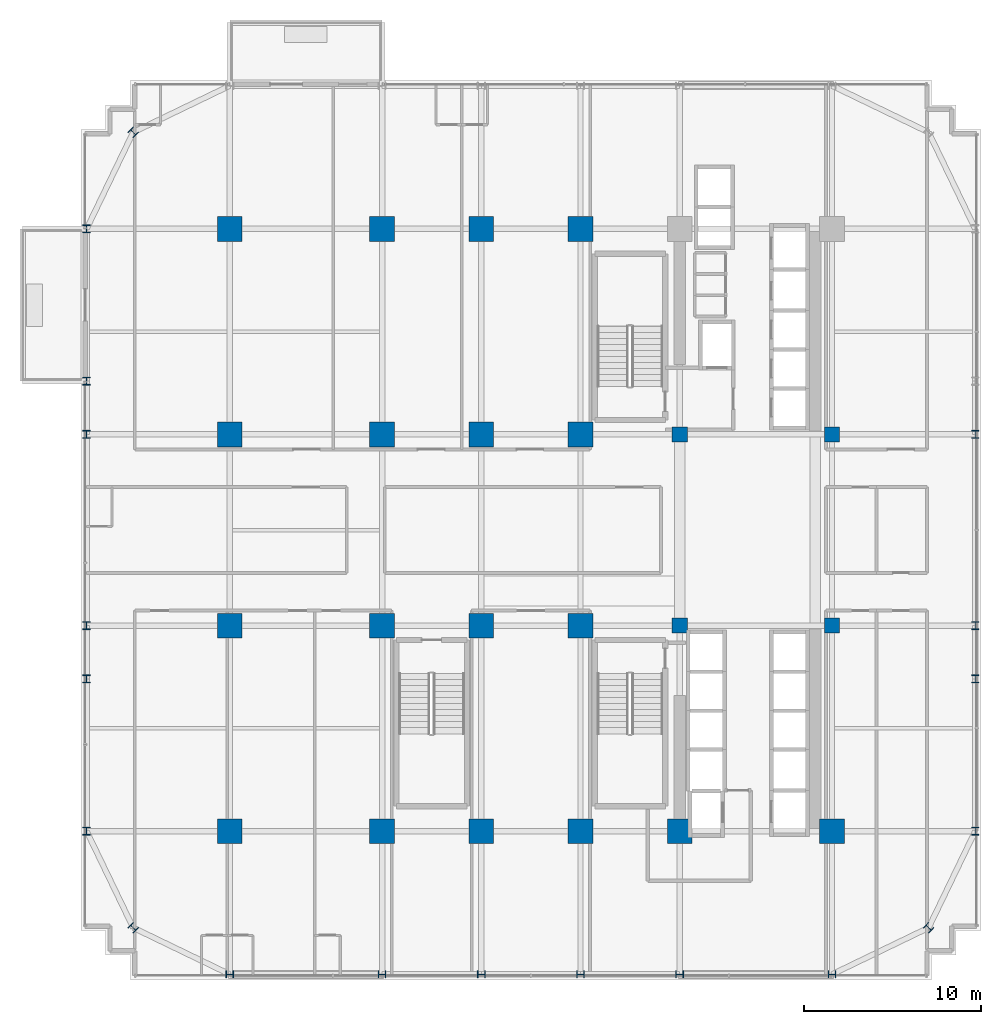
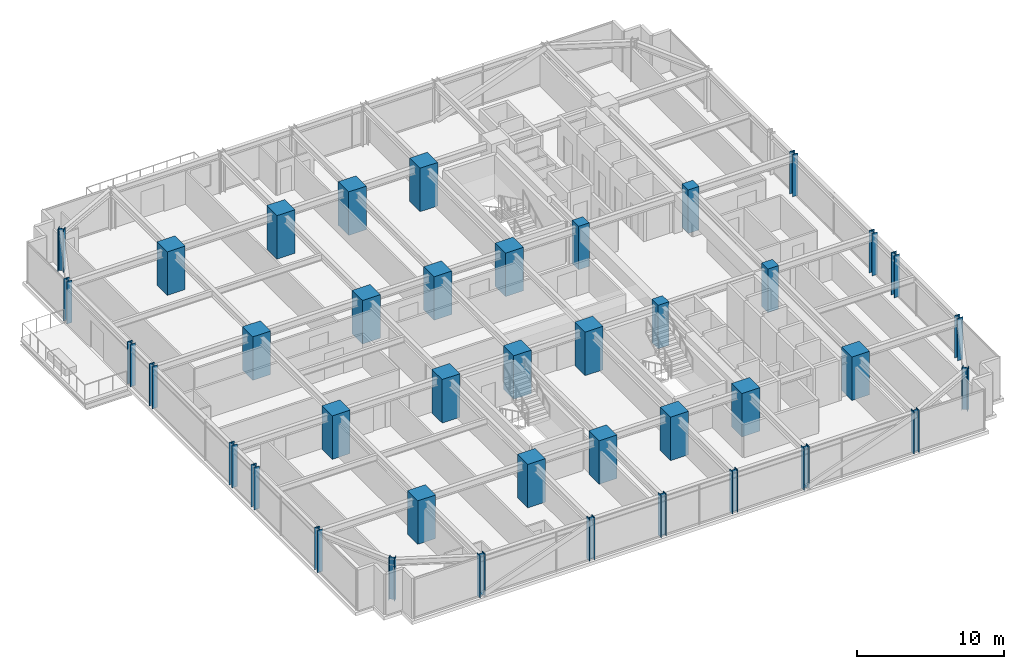
# One storey, part 1 of 36: 41 columns.
"""IFC4 building model written with IfcOpenShell, lengths in metres."""

from ifc_helpers import new_model, si_unit, direction, frame, origin, origin_2d, place, context, subcontext, project, spatial, rectangle, i_section, extrude, source, transform, mapped, material, material_profile, profile_set, type_object, element, save


model = new_model("IFC4")

# Units and contexts
model_context = context("Model", 3, precision=1e-05, world=origin(), true_north=direction((0.0, 1.0)))
body_context = subcontext(model_context, "Body", "Model", "MODEL_VIEW")
ifc_project = project(units=[si_unit("LENGTHUNIT", "METRE"), si_unit("AREAUNIT", "SQUARE_METRE"), si_unit("VOLUMEUNIT", "CUBIC_METRE"), si_unit("PLANEANGLEUNIT", "RADIAN"), si_unit("MASSUNIT", "GRAM", prefix="KILO")], contexts=[model_context])

# Site, building, storey
site_placement = place(None, origin())
site = spatial("IfcSite", under=ifc_project, at=site_placement, CompositionType="ELEMENT")
building_placement = place(site_placement, origin())
building = spatial("IfcBuilding", under=site, at=building_placement, Name="Nahalor Promenade Grand Hotel", CompositionType="ELEMENT")
storey_placement = place(building_placement, frame((0.0, 0.0, 76.199951171875)))
storey = spatial("IfcBuildingStorey", under=building, at=storey_placement, Name="L18", CompositionType="ELEMENT", Elevation=76.199951171875)

# Columns
ifc_material_1 = material(Name="Concrete B-70 (C60/75)", Category="concrete")
ifc_material_profile_1 = material_profile(ifc_material_1, rectangle(XDim=1.4, YDim=1.4, at=origin_2d()), Name="RC 1400x1400")
ifc_profile_set_1 = profile_set([ifc_material_profile_1], Name="Concrete B-70 (C60/75)")
column_type_1 = type_object("IfcColumnType", Name="Col-RC-1400", PredefinedType="COLUMN", material=ifc_profile_set_1)
shared_shape_1 = source(origin(), body_context, "Body", "SweptSolid", [
    extrude(rectangle(XDim=1.4, YDim=1.4, at=origin_2d()), origin(), (0.0, 0.0, 1.0), 3.60498046875),
])
for number, where, z_axis, x_axis, name in (
    (1, (-17.0, -17.0, 0.0), (0.0, 0.0, 1.0), (1.0, 0.0, 0.0), "COL-L18-I00"),
    (2, (-17.0, -5.39990234375, 0.0), (0.0, 0.0, 1.0), (1.0, 0.0, 0.0), "COL-L18-I01"),
    (3, (-17.0, 5.39990234375, 0.0), (0.0, 0.0, 1.0), (1.0, 0.0, 0.0), "COL-L18-I02"),
    (4, (-17.0, 17.0, 0.0), (0.0, 0.0, 1.0), (1.0, 0.0, 0.0), "COL-L18-I03"),
    (5, (-8.39990234375, -17.0, 0.0), (0.0, 0.0, 1.0), (1.0, 0.0, 0.0), "COL-L18-I10"),
    (6, (-8.39990234375, -5.39990234375, 0.0), (0.0, 0.0, 1.0), (1.0, 0.0, 0.0), "COL-L18-I11"),
    (7, (-8.39990234375, 5.39990234375, 0.0), (0.0, 0.0, 1.0), (1.0, 0.0, 0.0), "COL-L18-I12"),
    (8, (-8.39990234375, 17.0, 0.0), (0.0, 0.0, 1.0), (1.0, 0.0, 0.0), "COL-L18-I13"),
    (9, (-2.800048828125, -17.0, 0.0), (0.0, 0.0, 1.0), (1.0, 0.0, 0.0), "COL-L18-I20"),
    (10, (-2.800048828125, -5.39990234375, 0.0), (0.0, 0.0, 1.0), (1.0, 0.0, 0.0), "COL-L18-I21"),
    (11, (-2.800048828125, 5.39990234375, 0.0), (0.0, 0.0, 1.0), (1.0, 0.0, 0.0), "COL-L18-I22"),
    (12, (-2.800048828125, 17.0, 0.0), (0.0, 0.0, 1.0), (1.0, 0.0, 0.0), "COL-L18-I23"),
    (13, (2.800048828125, -17.0, 0.0), (0.0, 0.0, 1.0), (1.0, 0.0, 0.0), "COL-L18-I30"),
    (14, (2.800048828125, -5.39990234375, 0.0), (0.0, 0.0, 1.0), (1.0, 0.0, 0.0), "COL-L18-I31"),
    (15, (2.800048828125, 5.39990234375, 0.0), (0.0, 0.0, 1.0), (1.0, 0.0, 0.0), "COL-L18-I32"),
    (16, (2.800048828125, 17.0, 0.0), (0.0, 0.0, 1.0), (1.0, 0.0, 0.0), "COL-L18-I33"),
    (17, (8.39990234375, -17.0, 0.0), (0.0, 0.0, 1.0), (1.0, 0.0, 0.0), "COL-L18-I40"),
    (18, (17.0, -17.0, 0.0), (0.0, 0.0, 1.0), (1.0, 0.0, 0.0), "COL-L18-I50"),
):
    element("IfcColumn", number, at=place(storey_placement, frame(where, z_axis=z_axis, x_axis=x_axis)), inside=storey, type_object=column_type_1, Name=name, PredefinedType="COLUMN", context=body_context, shape_type="MappedRepresentation", body=[
        mapped(shared_shape_1, transform((0.0, 0.0, 0.0), scale=1.0)),
    ])
ifc_material_profile_2 = material_profile(ifc_material_1, rectangle(XDim=0.85, YDim=0.85, at=origin_2d()), Name="RC 850x850")
ifc_profile_set_2 = profile_set([ifc_material_profile_2], Name="Concrete B-70 (C60/75)")
column_type_2 = type_object("IfcColumnType", Name="Col-Pilaster-850", PredefinedType="PILASTER", material=ifc_profile_set_2)
shared_shape_2 = source(origin(), body_context, "Body", "SweptSolid", [
    extrude(rectangle(XDim=0.85, YDim=0.85, at=origin_2d()), origin(), (0.0, 0.0, 1.0), 3.60498046875),
])
for number, where, z_axis, x_axis, name in (
    (19, (8.39990234375, -5.39990234375, 0.0), (0.0, 0.0, 1.0), (1.0, 0.0, 0.0), "COL-L18-I41"),
    (20, (8.39990234375, 5.39990234375, 0.0), (0.0, 0.0, 1.0), (1.0, 0.0, 0.0), "COL-L18-I42"),
    (21, (17.0, -5.39990234375, 0.0), (0.0, 0.0, 1.0), (1.0, 0.0, 0.0), "COL-L18-I51"),
    (22, (17.0, 5.39990234375, 0.0), (0.0, 0.0, 1.0), (1.0, 0.0, 0.0), "COL-L18-I52"),
):
    element("IfcColumn", number, at=place(storey_placement, frame(where, z_axis=z_axis, x_axis=x_axis)), inside=storey, type_object=column_type_2, Name=name, PredefinedType="PILASTER", context=body_context, shape_type="MappedRepresentation", body=[
        mapped(shared_shape_2, transform((0.0, 0.0, 0.0), scale=1.0)),
    ])
ifc_material_2 = material(Name="Steel S355J2", Category="steel")
ifc_material_profile_3 = material_profile(ifc_material_2, i_section(OverallWidth=0.412, OverallDepth=0.438, WebThickness=0.0226, FlangeThickness=0.0365, at=origin_2d()), Name="HD 400x463")
ifc_profile_set_3 = profile_set([ifc_material_profile_3], Name="Steel S355J2")
column_type_3 = type_object("IfcColumnType", Name="Col-Steel-HD463", PredefinedType="COLUMN", material=ifc_profile_set_3)
shared_shape_3 = source(origin(), body_context, "Body", "SweptSolid", [
    extrude(i_section(OverallWidth=0.412, OverallDepth=0.438, WebThickness=0.0226, FlangeThickness=0.0365, at=origin_2d()), origin(), (0.0, 0.0, 1.0), 3.505126953125),
])
for number, where, z_axis, x_axis, name in (
    (23, (-25.080078125, -17.0, 0.0), (0.0, 0.0, 1.0), (1.0, 0.0, 0.0), "COL-L18-PW-W0"),
    (24, (25.080078125, -17.0, 0.0), (0.0, 0.0, 1.0), (1.0, 0.0, 0.0), "COL-L18-PW-E0"),
    (25, (-25.080078125, -8.39990234375, 0.0), (0.0, 0.0, 1.0), (1.0, 0.0, 0.0), "COL-L18-PW-W1"),
    (26, (25.080078125, -8.39990234375, 0.0), (0.0, 0.0, 1.0), (1.0, 0.0, 0.0), "COL-L18-PW-E1"),
    (27, (-25.080078125, -5.39990234375, 0.0), (0.0, 0.0, 1.0), (1.0, 0.0, 0.0), "COL-L18-PW-W2"),
    (28, (25.080078125, -5.39990234375, 0.0), (0.0, 0.0, 1.0), (1.0, 0.0, 0.0), "COL-L18-PW-E2"),
    (29, (-25.080078125, 5.39990234375, 0.0), (0.0, 0.0, 1.0), (1.0, 0.0, 0.0), "COL-L18-PW-W3"),
    (30, (25.080078125, 5.39990234375, 0.0), (0.0, 0.0, 1.0), (1.0, 0.0, 0.0), "COL-L18-PW-E3"),
    (31, (-25.080078125, 8.39990234375, 0.0), (0.0, 0.0, 1.0), (1.0, 0.0, 0.0), "COL-L18-PW-W4"),
    (32, (-25.080078125, 17.0, 0.0), (0.0, 0.0, 1.0), (1.0, 0.0, 0.0), "COL-L18-PW-W5"),
    (33, (-17.0, -25.080078125, 0.0), (0.0, 0.0, 1.0), (0.0, 1.0, 0.0), "COL-L18-PN-S0"),
    (34, (-8.39990234375, -25.080078125, 0.0), (0.0, 0.0, 1.0), (0.0, 1.0, 0.0), "COL-L18-PN-S1"),
    (35, (-2.800048828125, -25.080078125, 0.0), (0.0, 0.0, 1.0), (0.0, 1.0, 0.0), "COL-L18-PN-S2"),
    (36, (2.800048828125, -25.080078125, 0.0), (0.0, 0.0, 1.0), (0.0, 1.0, 0.0), "COL-L18-PN-S3"),
    (37, (8.39990234375, -25.080078125, 0.0), (0.0, 0.0, 1.0), (0.0, 1.0, 0.0), "COL-L18-PN-S4"),
    (38, (17.0, -25.080078125, 0.0), (0.0, 0.0, 1.0), (0.0, 1.0, 0.0), "COL-L18-PN-S5"),
    (39, (-22.449951171875, -22.449951171875, 0.0), (0.0, 0.0, 1.0), (0.707106781187, 0.707106781187, 0.0), "COL-L18-CRN-SW"),
    (40, (-22.449951171875, 22.449951171875, 0.0), (0.0, 0.0, 1.0), (0.707106781187, 0.707106781187, 0.0), "COL-L18-CRN-NW"),
    (41, (22.449951171875, -22.449951171875, 0.0), (0.0, 0.0, 1.0), (0.707106781187, 0.707106781187, 0.0), "COL-L18-CRN-SE"),
):
    element("IfcColumn", number, at=place(storey_placement, frame(where, z_axis=z_axis, x_axis=x_axis)), inside=storey, type_object=column_type_3, Name=name, PredefinedType="COLUMN", context=body_context, shape_type="MappedRepresentation", body=[
        mapped(shared_shape_3, transform((0.0, 0.0, 0.0), scale=1.0)),
    ])

save(model, "model.ifc")
